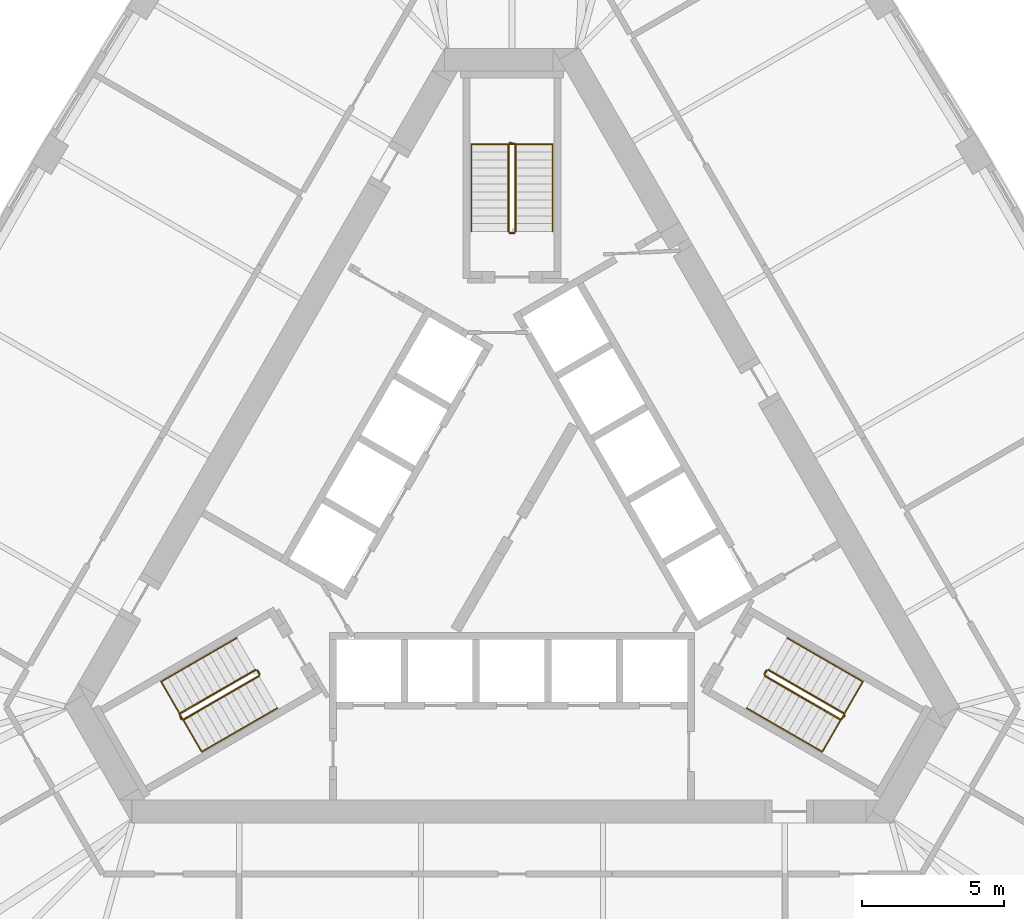
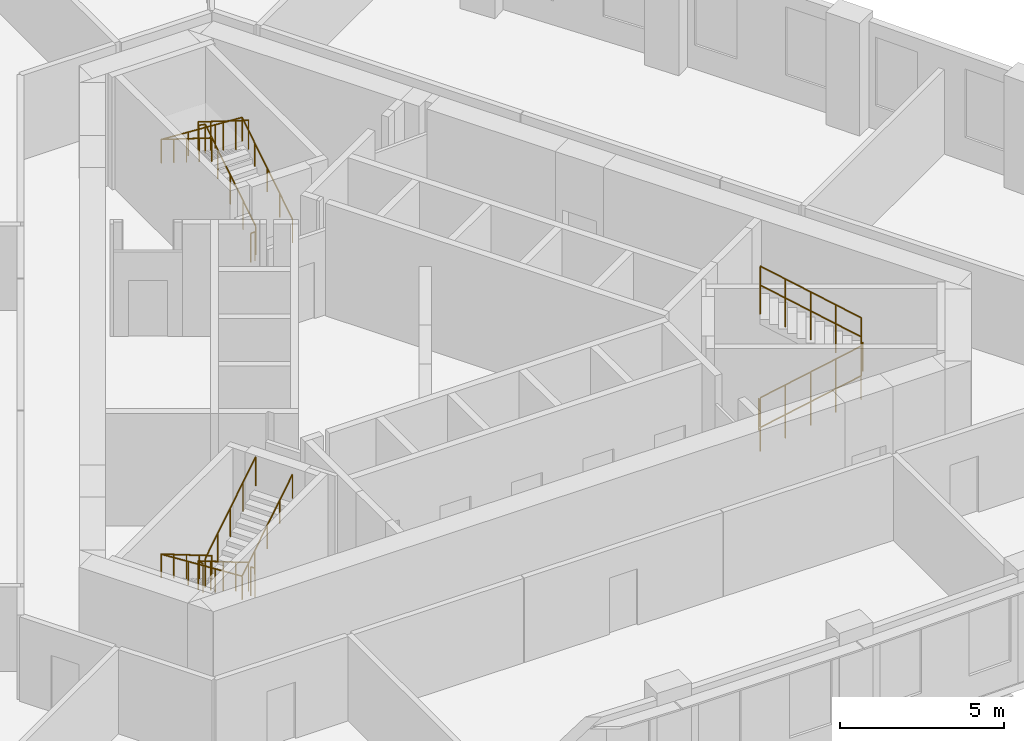
# One storey, part 9 of 9: 12 railings.
"""IFC4 building model written with IfcOpenShell, lengths in metres."""

from ifc_helpers import new_model, si_unit, direction, frame, origin, origin_2d, place, context, subcontext, project, spatial, circle, extrude, material, type_object, element, save


model = new_model("IFC4")

# Units and contexts
model_context = context("Model", 3, precision=1e-05, world=origin(), true_north=direction((0.0, 1.0)))
body_context = subcontext(model_context, "Body", "Model", "MODEL_VIEW")
ifc_project = project(units=[si_unit("LENGTHUNIT", "METRE"), si_unit("AREAUNIT", "SQUARE_METRE"), si_unit("VOLUMEUNIT", "CUBIC_METRE"), si_unit("PLANEANGLEUNIT", "RADIAN"), si_unit("MASSUNIT", "GRAM", prefix="KILO")], contexts=[model_context])

# Site, building, storey
site_placement = place(None, origin())
site = spatial("IfcSite", under=ifc_project, at=site_placement, CompositionType="ELEMENT")
building_placement = place(site_placement, origin())
building = spatial("IfcBuilding", under=site, at=building_placement, Name="Mestral Congress Tower", CompositionType="ELEMENT")
storey_placement = place(building_placement, frame((0.0, 0.0, 179.39990234375)))
storey = spatial("IfcBuildingStorey", under=building, at=storey_placement, Name="L42", CompositionType="ELEMENT", Elevation=179.39990234375)

# Railings
ifc_material_1 = material(Name="Steel balustrade", Category="steel")
railing_type_1 = type_object("IfcRailingType", Name="Stair guard 1100", PredefinedType="GUARDRAIL", material=ifc_material_1)
railing_1_placement = place(storey_placement, frame((8.90087890625, -5.283203125, 0.175048828125)))
element("IfcRailing", 1, at=railing_1_placement, inside=storey, type_object=railing_type_1, Name="L42 ST1 stair guard 1", PredefinedType="GUARDRAIL", context=body_context, shape_type="SweptSolid", body=[
    extrude(circle(Radius=0.02392578125, at=origin_2d()), frame((0.0, 0.0, 1.076171875), z_axis=(0.734364028329, -0.424015404183, 0.530019255228), x_axis=(0.500026652407, 0.866010015463, 0.0)), (0.0, 0.0, 1.0), 3.632080078125),
    extrude(circle(Radius=0.02392578125, at=origin_2d()), frame((2.667236328125, -1.5400390625, 3.0009765625), z_axis=(0.695164929852, 0.718850276695, 0.0), x_axis=(-0.718850276695, 0.695164929852, 0.0)), (0.0, 0.0, 1.0), 0.2060546875),
    extrude(circle(Radius=0.02099609375, at=origin_2d()), origin(), (0.0, 0.0, 1.0), 1.052001953125),
    extrude(circle(Radius=0.02099609375, at=origin_2d()), frame((0.666748046875, -0.385009765625, 0.481201171875)), (0.0, 0.0, 1.0), 1.052001953125),
    extrude(circle(Radius=0.02099609375, at=origin_2d()), frame((1.33349609375, -0.77001953125, 0.96240234375)), (0.0, 0.0, 1.0), 1.052001953125),
    extrude(circle(Radius=0.02099609375, at=origin_2d()), frame((2.00048828125, -1.155029296875, 1.44384765625)), (0.0, 0.0, 1.0), 1.052001953125),
    extrude(circle(Radius=0.02099609375, at=origin_2d()), frame((2.667236328125, -1.5400390625, 1.925048828125)), (0.0, 0.0, 1.0), 1.052001953125),
    extrude(circle(Radius=0.02099609375, at=origin_2d()), frame((2.810546875, -1.391845703125, 1.925048828125)), (0.0, 0.0, 1.0), 1.052001953125),
])
railing_2_placement = place(storey_placement, frame((11.693115234375, -6.606689453125, 2.275146484375)))
element("IfcRailing", 2, at=railing_2_placement, inside=storey, type_object=railing_type_1, Name="L42 ST1 stair guard 2", PredefinedType="GUARDRAIL", context=body_context, shape_type="SweptSolid", body=[
    extrude(circle(Radius=0.02392578125, at=origin_2d()), frame((0.0, 0.0, 1.076171875), z_axis=(-0.734364028329, 0.424015404183, 0.530019255228), x_axis=(-0.500026652407, -0.866010015463, 0.0)), (0.0, 0.0, 1.0), 3.632080078125),
    extrude(circle(Radius=0.02099609375, at=origin_2d()), origin(), (0.0, 0.0, 1.0), 1.052001953125),
    extrude(circle(Radius=0.02099609375, at=origin_2d()), frame((-0.666748046875, 0.385009765625, 0.481201171875)), (0.0, 0.0, 1.0), 1.052001953125),
    extrude(circle(Radius=0.02099609375, at=origin_2d()), frame((-1.33349609375, 0.77001953125, 0.96240234375)), (0.0, 0.0, 1.0), 1.052001953125),
    extrude(circle(Radius=0.02099609375, at=origin_2d()), frame((-2.00048828125, 1.155029296875, 1.44384765625)), (0.0, 0.0, 1.0), 1.052001953125),
    extrude(circle(Radius=0.02099609375, at=origin_2d()), frame((-2.667236328125, 1.5400390625, 1.925048828125)), (0.0, 0.0, 1.0), 1.052001953125),
])
railing_3_placement = place(storey_placement, frame((8.882568359375, -5.21484375, 0.0)))
element("IfcRailing", 3, at=railing_3_placement, inside=storey, type_object=railing_type_1, Name="L42 ST1 stair guard 3", PredefinedType="GUARDRAIL", context=body_context, shape_type="SweptSolid", body=[
    extrude(circle(Radius=0.02392578125, at=origin_2d()), frame((0.0, 0.0, 1.076171875), z_axis=(0.499816412211, 0.866131372301, 0.0), x_axis=(-0.866131372301, 0.499816412211, 0.0)), (0.0, 0.0, 1.0), 0.14990234375),
    extrude(circle(Radius=0.02099609375, at=origin_2d()), origin(), (0.0, 0.0, 1.0), 1.052001953125),
    extrude(circle(Radius=0.02099609375, at=origin_2d()), frame((0.074951171875, 0.1298828125, 0.0)), (0.0, 0.0, 1.0), 1.052001953125),
])
railing_4_placement = place(storey_placement, frame((0.125, 10.35009765625, 0.175048828125)))
element("IfcRailing", 4, at=railing_4_placement, inside=storey, type_object=railing_type_1, Name="L42 ST2 stair guard 1", PredefinedType="GUARDRAIL", context=body_context, shape_type="SweptSolid", body=[
    extrude(circle(Radius=0.02392578125, at=origin_2d()), frame((0.0, 0.0, 1.076171875), z_axis=(0.0, 0.847979421464, 0.530029150871), x_axis=(-1.0, 0.0, 0.0)), (0.0, 0.0, 1.0), 3.632080078125),
    extrude(circle(Radius=0.02392578125, at=origin_2d()), frame((0.0, 3.079833984375, 3.0009765625), z_axis=(-0.970072785993, 0.242814311512, 0.0), x_axis=(-0.242814311512, -0.970072785993, 0.0)), (0.0, 0.0, 1.0), 0.2060546875),
    extrude(circle(Radius=0.02099609375, at=origin_2d()), origin(), (0.0, 0.0, 1.0), 1.052001953125),
    extrude(circle(Radius=0.02099609375, at=origin_2d()), frame((0.0, 0.77001953125, 0.481201171875)), (0.0, 0.0, 1.0), 1.052001953125),
    extrude(circle(Radius=0.02099609375, at=origin_2d()), frame((0.0, 1.5400390625, 0.96240234375)), (0.0, 0.0, 1.0), 1.052001953125),
    extrude(circle(Radius=0.02099609375, at=origin_2d()), frame((0.0, 2.309814453125, 1.44384765625)), (0.0, 0.0, 1.0), 1.052001953125),
    extrude(circle(Radius=0.02099609375, at=origin_2d()), frame((0.0, 3.079833984375, 1.925048828125)), (0.0, 0.0, 1.0), 1.052001953125),
    extrude(circle(Radius=0.02099609375, at=origin_2d()), frame((-0.199951171875, 3.1298828125, 1.925048828125)), (0.0, 0.0, 1.0), 1.052001953125),
])
railing_5_placement = place(storey_placement, frame((-0.125, 13.429931640625, 2.275146484375)))
element("IfcRailing", 5, at=railing_5_placement, inside=storey, type_object=railing_type_1, Name="L42 ST2 stair guard 2", PredefinedType="GUARDRAIL", context=body_context, shape_type="SweptSolid", body=[
    extrude(circle(Radius=0.02392578125, at=origin_2d()), frame((0.0, 0.0, 1.076171875), z_axis=(0.0, -0.847979421464, 0.530029150871), x_axis=(1.0, 0.0, 0.0)), (0.0, 0.0, 1.0), 3.632080078125),
    extrude(circle(Radius=0.02099609375, at=origin_2d()), origin(), (0.0, 0.0, 1.0), 1.052001953125),
    extrude(circle(Radius=0.02099609375, at=origin_2d()), frame((0.0, -0.77001953125, 0.481201171875)), (0.0, 0.0, 1.0), 1.052001953125),
    extrude(circle(Radius=0.02099609375, at=origin_2d()), frame((0.0, -1.5400390625, 0.96240234375)), (0.0, 0.0, 1.0), 1.052001953125),
    extrude(circle(Radius=0.02099609375, at=origin_2d()), frame((0.0, -2.309814453125, 1.44384765625)), (0.0, 0.0, 1.0), 1.052001953125),
    extrude(circle(Radius=0.02099609375, at=origin_2d()), frame((0.0, -3.079833984375, 1.925048828125)), (0.0, 0.0, 1.0), 1.052001953125),
])
railing_6_placement = place(storey_placement, frame((0.074951171875, 10.300048828125, 0.0)))
element("IfcRailing", 6, at=railing_6_placement, inside=storey, type_object=railing_type_1, Name="L42 ST2 stair guard 3", PredefinedType="GUARDRAIL", context=body_context, shape_type="SweptSolid", body=[
    extrude(circle(Radius=0.02392578125, at=origin_2d()), frame((0.0, 0.0, 1.076171875), z_axis=(-1.0, 0.0, 0.0), x_axis=(0.0, -1.0, 0.0)), (0.0, 0.0, 1.0), 0.14990234375),
    extrude(circle(Radius=0.02099609375, at=origin_2d()), origin(), (0.0, 0.0, 1.0), 1.052001953125),
    extrude(circle(Radius=0.02099609375, at=origin_2d()), frame((-0.14990234375, 0.0, 0.0)), (0.0, 0.0, 1.0), 1.052001953125),
])
railing_7_placement = place(storey_placement, frame((-9.02587890625, -5.066650390625, 0.175048828125)))
element("IfcRailing", 7, at=railing_7_placement, inside=storey, type_object=railing_type_1, Name="L42 ST3 stair guard 1", PredefinedType="GUARDRAIL", context=body_context, shape_type="SweptSolid", body=[
    extrude(circle(Radius=0.02392578125, at=origin_2d()), frame((0.0, 0.0, 1.076171875), z_axis=(-0.734364028329, -0.424015404183, 0.530019255228), x_axis=(0.500026652407, -0.866010015463, 0.0)), (0.0, 0.0, 1.0), 3.632080078125),
    extrude(circle(Radius=0.02392578125, at=origin_2d()), frame((-2.667236328125, -1.5400390625, 3.0009765625), z_axis=(0.274721127897, -0.961523947641, 0.0), x_axis=(0.961523947641, 0.274721127897, 0.0)), (0.0, 0.0, 1.0), 0.2060546875),
    extrude(circle(Radius=0.02099609375, at=origin_2d()), origin(), (0.0, 0.0, 1.0), 1.052001953125),
    extrude(circle(Radius=0.02099609375, at=origin_2d()), frame((-0.666748046875, -0.385009765625, 0.481201171875)), (0.0, 0.0, 1.0), 1.052001953125),
    extrude(circle(Radius=0.02099609375, at=origin_2d()), frame((-1.33349609375, -0.77001953125, 0.96240234375)), (0.0, 0.0, 1.0), 1.052001953125),
    extrude(circle(Radius=0.02099609375, at=origin_2d()), frame((-2.00048828125, -1.155029296875, 1.44384765625)), (0.0, 0.0, 1.0), 1.052001953125),
    extrude(circle(Radius=0.02099609375, at=origin_2d()), frame((-2.667236328125, -1.5400390625, 1.925048828125)), (0.0, 0.0, 1.0), 1.052001953125),
    extrude(circle(Radius=0.02099609375, at=origin_2d()), frame((-2.610595703125, -1.73828125, 1.925048828125)), (0.0, 0.0, 1.0), 1.052001953125),
])
railing_8_placement = place(storey_placement, frame((-11.568115234375, -6.8232421875, 2.275146484375)))
element("IfcRailing", 8, at=railing_8_placement, inside=storey, type_object=railing_type_1, Name="L42 ST3 stair guard 2", PredefinedType="GUARDRAIL", context=body_context, shape_type="SweptSolid", body=[
    extrude(circle(Radius=0.02392578125, at=origin_2d()), frame((0.0, 0.0, 1.076171875), z_axis=(0.734364028329, 0.424015404183, 0.530019255228), x_axis=(-0.500026652407, 0.866010015463, 0.0)), (0.0, 0.0, 1.0), 3.632080078125),
    extrude(circle(Radius=0.02099609375, at=origin_2d()), origin(), (0.0, 0.0, 1.0), 1.052001953125),
    extrude(circle(Radius=0.02099609375, at=origin_2d()), frame((0.666748046875, 0.385009765625, 0.481201171875)), (0.0, 0.0, 1.0), 1.052001953125),
    extrude(circle(Radius=0.02099609375, at=origin_2d()), frame((1.33349609375, 0.77001953125, 0.96240234375)), (0.0, 0.0, 1.0), 1.052001953125),
    extrude(circle(Radius=0.02099609375, at=origin_2d()), frame((2.00048828125, 1.155029296875, 1.44384765625)), (0.0, 0.0, 1.0), 1.052001953125),
    extrude(circle(Radius=0.02099609375, at=origin_2d()), frame((2.667236328125, 1.5400390625, 1.925048828125)), (0.0, 0.0, 1.0), 1.052001953125),
])
railing_9_placement = place(storey_placement, frame((-8.95751953125, -5.0849609375, 0.0)))
element("IfcRailing", 9, at=railing_9_placement, inside=storey, type_object=railing_type_1, Name="L42 ST3 stair guard 3", PredefinedType="GUARDRAIL", context=body_context, shape_type="SweptSolid", body=[
    extrude(circle(Radius=0.02392578125, at=origin_2d()), frame((0.0, 0.0, 1.076171875), z_axis=(0.499816412211, -0.866131372301, 0.0), x_axis=(0.866131372301, 0.499816412211, 0.0)), (0.0, 0.0, 1.0), 0.14990234375),
    extrude(circle(Radius=0.02099609375, at=origin_2d()), origin(), (0.0, 0.0, 1.0), 1.052001953125),
    extrude(circle(Radius=0.02099609375, at=origin_2d()), frame((0.074951171875, -0.1298828125, 0.0)), (0.0, 0.0, 1.0), 1.052001953125),
])
ifc_material_2 = material(Name="Steel handrail", Category="steel")
railing_type_2 = type_object("IfcRailingType", Name="Stair handrail 900", PredefinedType="HANDRAIL", material=ifc_material_2)
railing_10_placement = place(storey_placement, frame((8.2509765625, -6.4091796875, 0.175048828125)))
element("IfcRailing", 10, at=railing_10_placement, inside=storey, type_object=railing_type_2, Name="L42 ST1 stair handrail 1", PredefinedType="HANDRAIL", context=body_context, shape_type="SweptSolid", body=[
    extrude(circle(Radius=0.02392578125, at=origin_2d()), frame((0.0, 0.0, 0.8759765625), z_axis=(0.734384958227, -0.423960268333, 0.530034361155), x_axis=(0.499967199496, 0.866044340336, 0.0)), (0.0, 0.0, 1.0), 3.6318359375),
    extrude(circle(Radius=0.02392578125, at=origin_2d()), frame((2.667236328125, -1.539794921875, 2.80078125), z_axis=(0.499095769026, 0.864375386171, 0.061307463833), x_axis=(-0.866004402611, 0.500036373335, 0.0)), (0.0, 0.0, 1.0), 2.855224609375),
    extrude(circle(Radius=0.02392578125, at=origin_2d()), frame((4.09228515625, 0.92822265625, 2.97607421875), z_axis=(-0.734394994316, 0.423994474112, 0.52999309264), x_axis=(-0.499992328818, -0.866029832698, 0.0)), (0.0, 0.0, 1.0), 3.63232421875),
    extrude(circle(Radius=0.02099609375, at=origin_2d()), origin(), (0.0, 0.0, 1.0), 0.851806640625),
    extrude(circle(Radius=0.02099609375, at=origin_2d()), frame((0.666748046875, -0.385009765625, 0.481201171875)), (0.0, 0.0, 1.0), 0.851806640625),
    extrude(circle(Radius=0.02099609375, at=origin_2d()), frame((1.33349609375, -0.77001953125, 0.96240234375)), (0.0, 0.0, 1.0), 0.851806640625),
    extrude(circle(Radius=0.02099609375, at=origin_2d()), frame((2.00048828125, -1.15478515625, 1.44384765625)), (0.0, 0.0, 1.0), 0.851806640625),
    extrude(circle(Radius=0.02099609375, at=origin_2d()), frame((2.667236328125, -1.539794921875, 1.925048828125)), (0.0, 0.0, 1.0), 0.851806640625),
    extrude(circle(Radius=0.02099609375, at=origin_2d()), frame((3.142333984375, -0.717041015625, 1.9833984375)), (0.0, 0.0, 1.0), 0.851806640625),
    extrude(circle(Radius=0.02099609375, at=origin_2d()), frame((3.6171875, 0.10546875, 2.041748046875)), (0.0, 0.0, 1.0), 0.851806640625),
    extrude(circle(Radius=0.02099609375, at=origin_2d()), frame((4.09228515625, 0.92822265625, 2.10009765625)), (0.0, 0.0, 1.0), 0.851806640625),
    extrude(circle(Radius=0.02099609375, at=origin_2d()), frame((3.42529296875, 1.313232421875, 2.581298828125)), (0.0, 0.0, 1.0), 0.851806640625),
    extrude(circle(Radius=0.02099609375, at=origin_2d()), frame((2.758544921875, 1.6982421875, 3.0625)), (0.0, 0.0, 1.0), 0.851806640625),
    extrude(circle(Radius=0.02099609375, at=origin_2d()), frame((2.091796875, 2.083251953125, 3.5439453125)), (0.0, 0.0, 1.0), 0.851806640625),
    extrude(circle(Radius=0.02099609375, at=origin_2d()), frame((1.4248046875, 2.46826171875, 4.025146484375)), (0.0, 0.0, 1.0), 0.851806640625),
])
railing_11_placement = place(storey_placement, frame((1.425048828125, 10.35009765625, 0.175048828125)))
element("IfcRailing", 11, at=railing_11_placement, inside=storey, type_object=railing_type_2, Name="L42 ST2 stair handrail 1", PredefinedType="HANDRAIL", context=body_context, shape_type="SweptSolid", body=[
    extrude(circle(Radius=0.02392578125, at=origin_2d()), frame((0.0, 0.0, 0.8759765625), z_axis=(0.0, 0.847979421464, 0.530029150871), x_axis=(-1.0, 0.0, 0.0)), (0.0, 0.0, 1.0), 3.632080078125),
    extrude(circle(Radius=0.02392578125, at=origin_2d()), frame((0.0, 3.079833984375, 2.80078125), z_axis=(-0.998119201106, 0.0, 0.061303021003), x_axis=(0.0, -1.0, 0.0)), (0.0, 0.0, 1.0), 2.85546875),
    extrude(circle(Radius=0.02392578125, at=origin_2d()), frame((-2.85009765625, 3.079833984375, 2.97607421875), z_axis=(0.0, -0.847979421464, 0.530029150871), x_axis=(1.0, 0.0, 0.0)), (0.0, 0.0, 1.0), 3.632080078125),
    extrude(circle(Radius=0.02099609375, at=origin_2d()), origin(), (0.0, 0.0, 1.0), 0.851806640625),
    extrude(circle(Radius=0.02099609375, at=origin_2d()), frame((0.0, 0.77001953125, 0.481201171875)), (0.0, 0.0, 1.0), 0.851806640625),
    extrude(circle(Radius=0.02099609375, at=origin_2d()), frame((0.0, 1.5400390625, 0.96240234375)), (0.0, 0.0, 1.0), 0.851806640625),
    extrude(circle(Radius=0.02099609375, at=origin_2d()), frame((0.0, 2.309814453125, 1.44384765625)), (0.0, 0.0, 1.0), 0.851806640625),
    extrude(circle(Radius=0.02099609375, at=origin_2d()), frame((0.0, 3.079833984375, 1.925048828125)), (0.0, 0.0, 1.0), 0.851806640625),
    extrude(circle(Radius=0.02099609375, at=origin_2d()), frame((-0.949951171875, 3.079833984375, 1.9833984375)), (0.0, 0.0, 1.0), 0.851806640625),
    extrude(circle(Radius=0.02099609375, at=origin_2d()), frame((-1.900146484375, 3.079833984375, 2.041748046875)), (0.0, 0.0, 1.0), 0.851806640625),
    extrude(circle(Radius=0.02099609375, at=origin_2d()), frame((-2.85009765625, 3.079833984375, 2.10009765625)), (0.0, 0.0, 1.0), 0.851806640625),
    extrude(circle(Radius=0.02099609375, at=origin_2d()), frame((-2.85009765625, 2.309814453125, 2.581298828125)), (0.0, 0.0, 1.0), 0.851806640625),
    extrude(circle(Radius=0.02099609375, at=origin_2d()), frame((-2.85009765625, 1.5400390625, 3.0625)), (0.0, 0.0, 1.0), 0.851806640625),
    extrude(circle(Radius=0.02099609375, at=origin_2d()), frame((-2.85009765625, 0.77001953125, 3.5439453125)), (0.0, 0.0, 1.0), 0.851806640625),
    extrude(circle(Radius=0.02099609375, at=origin_2d()), frame((-2.85009765625, 0.0, 4.025146484375)), (0.0, 0.0, 1.0), 0.851806640625),
])
railing_12_placement = place(storey_placement, frame((-9.67578125, -3.94091796875, 0.175048828125)))
element("IfcRailing", 12, at=railing_12_placement, inside=storey, type_object=railing_type_2, Name="L42 ST3 stair handrail 1", PredefinedType="HANDRAIL", context=body_context, shape_type="SweptSolid", body=[
    extrude(circle(Radius=0.02392578125, at=origin_2d()), frame((0.0, 0.0, 0.8759765625), z_axis=(-0.734394994316, -0.423994474112, 0.52999309264), x_axis=(0.499992328818, -0.866029832698, 0.0)), (0.0, 0.0, 1.0), 3.63232421875),
    extrude(circle(Radius=0.02392578125, at=origin_2d()), frame((-2.66748046875, -1.5400390625, 2.80078125), z_axis=(0.499095769026, -0.864375386171, 0.061307463833), x_axis=(0.866004402611, 0.500036373335, 0.0)), (0.0, 0.0, 1.0), 2.855224609375),
    extrude(circle(Radius=0.02392578125, at=origin_2d()), frame((-1.242431640625, -4.008056640625, 2.97607421875), z_axis=(0.734384958227, 0.423960268333, 0.530034361155), x_axis=(-0.499967199496, 0.866044340336, 0.0)), (0.0, 0.0, 1.0), 3.6318359375),
    extrude(circle(Radius=0.02099609375, at=origin_2d()), origin(), (0.0, 0.0, 1.0), 0.851806640625),
    extrude(circle(Radius=0.02099609375, at=origin_2d()), frame((-0.6669921875, -0.385009765625, 0.481201171875)), (0.0, 0.0, 1.0), 0.851806640625),
    extrude(circle(Radius=0.02099609375, at=origin_2d()), frame((-1.333740234375, -0.77001953125, 0.96240234375)), (0.0, 0.0, 1.0), 0.851806640625),
    extrude(circle(Radius=0.02099609375, at=origin_2d()), frame((-2.00048828125, -1.155029296875, 1.44384765625)), (0.0, 0.0, 1.0), 0.851806640625),
    extrude(circle(Radius=0.02099609375, at=origin_2d()), frame((-2.66748046875, -1.5400390625, 1.925048828125)), (0.0, 0.0, 1.0), 0.851806640625),
    extrude(circle(Radius=0.02099609375, at=origin_2d()), frame((-2.1923828125, -2.36279296875, 1.9833984375)), (0.0, 0.0, 1.0), 0.851806640625),
    extrude(circle(Radius=0.02099609375, at=origin_2d()), frame((-1.717529296875, -3.185302734375, 2.041748046875)), (0.0, 0.0, 1.0), 0.851806640625),
    extrude(circle(Radius=0.02099609375, at=origin_2d()), frame((-1.242431640625, -4.008056640625, 2.10009765625)), (0.0, 0.0, 1.0), 0.851806640625),
    extrude(circle(Radius=0.02099609375, at=origin_2d()), frame((-0.57568359375, -3.623046875, 2.581298828125)), (0.0, 0.0, 1.0), 0.851806640625),
    extrude(circle(Radius=0.02099609375, at=origin_2d()), frame((0.09130859375, -3.23828125, 3.0625)), (0.0, 0.0, 1.0), 0.851806640625),
    extrude(circle(Radius=0.02099609375, at=origin_2d()), frame((0.758056640625, -2.853271484375, 3.5439453125)), (0.0, 0.0, 1.0), 0.851806640625),
    extrude(circle(Radius=0.02099609375, at=origin_2d()), frame((1.4248046875, -2.46826171875, 4.025146484375)), (0.0, 0.0, 1.0), 0.851806640625),
])

save(model, "model.ifc")
